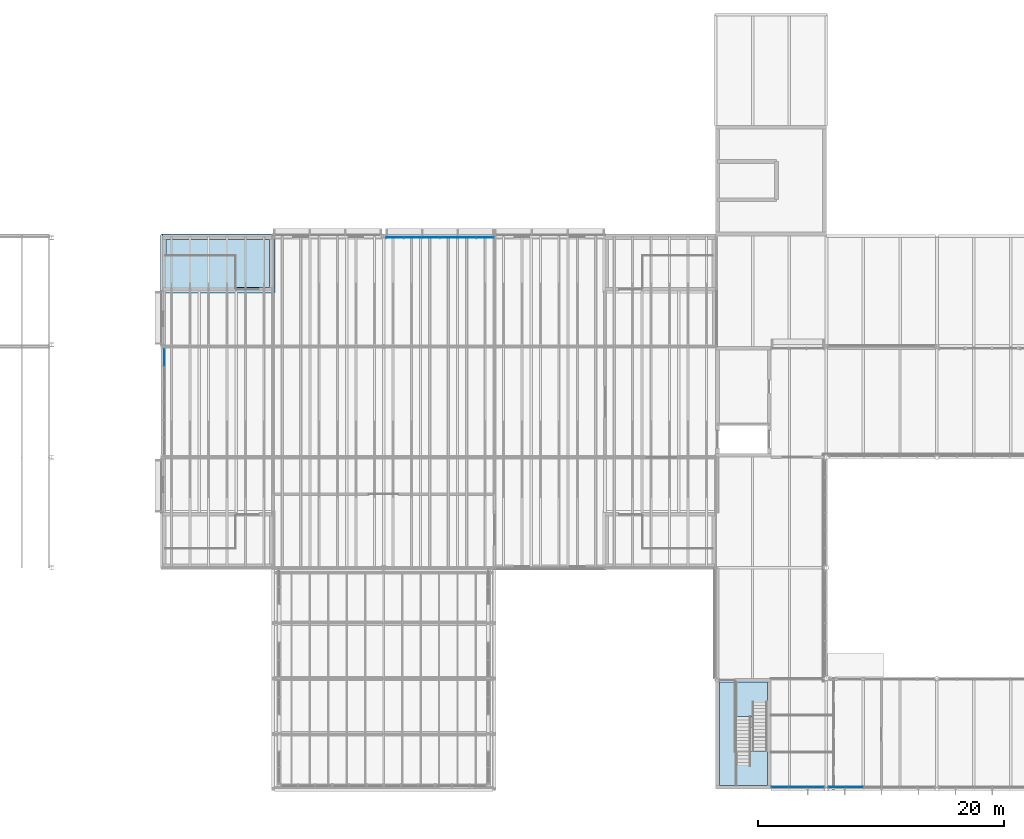
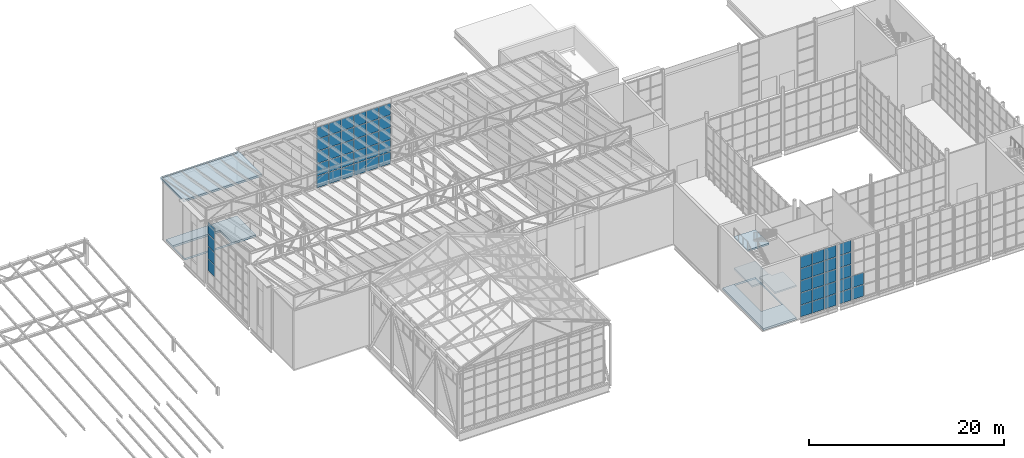
# One storey, part 68 of 90: 56 plates, 6 slabs, 5 elements without a shape of their own.
"""IFC4 building model written with IfcOpenShell, lengths in metres."""

import ifcopenshell
import ifcopenshell.guid

model = None  # the IFC model being written
_history = None  # IfcOwnerHistory: only IFC2X3 demands one
_inside = {}  # id of a spatial element -> (the spatial element, [elements in it])
_under = {}  # id of a project, library or spatial element -> (it, [spatial elements below it])
_declared = {}  # id of a project -> (the project, [libraries it declares])
_typed = {}  # id of a type object -> (the type object, [elements of that type])
_made_of = {}  # id of a material, layer set ... -> (it, [elements and type objects made of it])


def new_model(schema):
    """Start an empty IFC model of exactly this schema.

    Asked for "IFC4X3", IfcOpenShell would pick the latest addendum, in which some entities
    have other attributes; the version numbers below select the first issue.
    IFC2X3 requires an IfcOwnerHistory on every rooted entity: one is made here for all.
    """
    global model, _history
    if schema == "IFC4X3":
        model = ifcopenshell.file(schema_version=(4, 3, 0, 0))
    else:
        model = ifcopenshell.file(schema=schema)
    _inside.clear()
    _under.clear()
    _declared.clear()
    _typed.clear()
    _made_of.clear()
    _history = None
    if model.schema == "IFC2X3":
        org = make("IfcOrganization", Name="unknown")
        user = make(
            "IfcPersonAndOrganization",
            ThePerson=make("IfcPerson", FamilyName="unknown"),
            TheOrganization=org,
        )
        app = make(
            "IfcApplication",
            ApplicationDeveloper=org,
            Version="unknown",
            ApplicationFullName="unknown",
            ApplicationIdentifier="unknown",
        )
        _history = make(
            "IfcOwnerHistory",
            OwningUser=user,
            OwningApplication=app,
            ChangeAction="ADDED",
            CreationDate=0,
        )
    return model


def make(cls, **values):
    """One entity of the class cls with the attributes given. An attribute that is None is left unset."""
    return model.create_entity(
        cls, **{name: value for name, value in values.items() if value is not None}
    )


def rooted(cls, **values):
    """An entity with a GlobalId (a new one), such as an element, a storey or a relation."""
    return make(cls, GlobalId=ifcopenshell.guid.new(), OwnerHistory=_history, **values)


def si_unit(unit_type, name, prefix=None):
    """IfcSIUnit, for example si_unit("LENGTHUNIT", "METRE", prefix="MILLI")."""
    return make("IfcSIUnit", UnitType=unit_type, Prefix=prefix, Name=name)


def assignment(units):
    """IfcUnitAssignment: the units of a project."""
    return None if units is None else make("IfcUnitAssignment", Units=units)


def point(xyz):
    """IfcCartesianPoint."""
    return None if xyz is None else make("IfcCartesianPoint", Coordinates=xyz)


def direction(xyz):
    """IfcDirection."""
    return None if xyz is None else make("IfcDirection", DirectionRatios=xyz)


def frame(location, z_axis=None, x_axis=None):
    """IfcAxis2Placement3D, a coordinate frame: its origin and axes. An axis left out is left unset."""
    return make(
        "IfcAxis2Placement3D",
        Location=point(location),
        Axis=direction(z_axis),
        RefDirection=direction(x_axis),
    )


def frame_2d(location, x_axis=None):
    """IfcAxis2Placement2D, a coordinate frame in the plane: its origin and x axis."""
    return make(
        "IfcAxis2Placement2D", Location=point(location), RefDirection=direction(x_axis)
    )


def origin():
    """The frame at (0, 0, 0) with its axes left unset."""
    return frame((0.0, 0.0, 0.0))


def origin_2d():
    """The frame at (0, 0) in the plane with its x axis left unset."""
    return frame_2d((0.0, 0.0))


def place(relative_to, where):
    """IfcLocalPlacement: puts the frame where relative to a parent placement (None: the world)."""
    return make(
        "IfcLocalPlacement", PlacementRelTo=relative_to, RelativePlacement=where
    )


def context(
    kind, dimensions, precision=None, world=None, true_north=None, identifier=None
):
    """IfcGeometricRepresentationContext, for example the 3D "Model" context."""
    return make(
        "IfcGeometricRepresentationContext",
        ContextIdentifier=identifier,
        ContextType=kind,
        CoordinateSpaceDimension=dimensions,
        Precision=precision,
        WorldCoordinateSystem=world,
        TrueNorth=true_north,
    )


def subcontext(parent, identifier, kind, view, scale=None):
    """IfcGeometricRepresentationSubContext, for example "Body" below "Model"."""
    return make(
        "IfcGeometricRepresentationSubContext",
        ContextIdentifier=identifier,
        ContextType=kind,
        ParentContext=parent,
        TargetScale=scale,
        TargetView=view,
    )


def project(units=None, contexts=None):
    """IfcProject with its units and contexts."""
    return rooted(
        "IfcProject",
        Name="project",
        RepresentationContexts=contexts,
        UnitsInContext=assignment(units),
    )


def spatial(cls, under=None, at=None, **own):
    """A site, building, storey or space (cls), placed at a placement, below another one or the project."""
    s = rooted(cls, ObjectPlacement=at, **own)
    if under is not None:
        _under.setdefault(under.id(), (under, []))[1].append(s)
    return s


def polyline(points):
    """IfcPolyline through the points."""
    return make("IfcPolyline", Points=[point(p) for p in points])


def profile(cls, at=None, kind="AREA", **sizes):
    """A parametric profile (cls). Its sizes go by their IFC names, for example OverallWidth=200.0."""
    return make(cls, ProfileType=kind, Position=at, **sizes)


def rectangle(**sizes):
    """IfcRectangleProfileDef."""
    return profile("IfcRectangleProfileDef", **sizes)


def outline(outer, holes=None, kind="AREA"):
    """IfcArbitraryClosedProfileDef: a profile drawn as a closed curve; with holes, ...WithVoids."""
    if holes is None:
        return make("IfcArbitraryClosedProfileDef", ProfileType=kind, OuterCurve=outer)
    return make(
        "IfcArbitraryProfileDefWithVoids",
        ProfileType=kind,
        OuterCurve=outer,
        InnerCurves=holes,
    )


def extrude(swept, where, along, depth):
    """IfcExtrudedAreaSolid: the profile swept, set in the frame where, extruded along a direction by depth."""
    return make(
        "IfcExtrudedAreaSolid",
        SweptArea=swept,
        Position=where,
        ExtrudedDirection=direction(along),
        Depth=depth,
    )


def shape(context_of_items, identifier, shape_type, items):
    """IfcShapeRepresentation: the items that make up one representation, for example the "Body"."""
    return make(
        "IfcShapeRepresentation",
        ContextOfItems=context_of_items,
        RepresentationIdentifier=identifier,
        RepresentationType=shape_type,
        Items=items,
    )


def material(Name=None, Category=None):
    """IfcMaterial."""
    return make("IfcMaterial", Name=Name, Category=Category)


def layer(
    of_material, thickness, ventilated=None, Name=None, Category=None, Priority=None
):
    """IfcMaterialLayer: one layer of a wall or slab, of a material (None: an air gap)."""
    return make(
        "IfcMaterialLayer",
        Material=of_material,
        LayerThickness=thickness,
        IsVentilated=ventilated,
        Name=Name,
        Category=Category,
        Priority=Priority,
    )


def layer_set(layers, Name=None):
    """IfcMaterialLayerSet."""
    return make("IfcMaterialLayerSet", MaterialLayers=layers, LayerSetName=Name)


def made_of(thing, what):
    """Note that an element or type object is made of a material, layer set ...; save() writes the relation."""
    if what is not None:
        _made_of.setdefault(what.id(), (what, []))[1].append(thing)
    return thing


def type_object(cls, material=None, **own):
    """A type object (cls), such as IfcWallType, which elements share."""
    return made_of(rooted(cls, **own), material)


def element(
    cls,
    number,
    at=None,
    inside=None,
    cuts=None,
    type_object=None,
    material=None,
    context=None,
    identifier="Body",
    shape_type=None,
    held_by="IfcProductDefinitionShape",
    body=None,
    shapes=None,
    **own,
):
    """One element of the class cls, such as IfcWall. Its Tag is "e" and its number.

    at: its placement. inside: the storey or other place that contains it. cuts: it is an
    opening in that element (IfcRelVoidsElement). A single representation is given by context,
    identifier, shape_type and body (its items); several are given by shapes. held_by: the class
    of the entity that holds the representations. save() writes the other relations.
    """
    e = rooted(cls, Tag="e%d" % number, ObjectPlacement=at, **own)
    if body is not None:
        shapes = [shape(context, identifier, shape_type, body)]
    if shapes is not None:
        e.Representation = make(held_by, Representations=shapes)
    if inside is not None:
        _inside.setdefault(inside.id(), (inside, []))[1].append(e)
    if cuts is not None:
        rooted(
            "IfcRelVoidsElement", RelatingBuildingElement=cuts, RelatedOpeningElement=e
        )
    if type_object is not None:
        _typed.setdefault(type_object.id(), (type_object, []))[1].append(e)
    return made_of(e, material)


def aggregate(whole, parts):
    """IfcRelAggregates: a whole, such as a stair, and the parts it consists of."""
    return rooted("IfcRelAggregates", RelatingObject=whole, RelatedObjects=parts)


def save(model, path):
    """Write the relations noted so far, then the file.

    IfcRelAggregates (storeys below a building ...), IfcRelContainedInSpatialStructure (elements
    in a storey), IfcRelDefinesByType, IfcRelAssociatesMaterial and IfcRelDeclares: one each for
    every whole, place, type object, material and project.
    """
    for whole, parts in _under.values():
        aggregate(whole, parts)
    for where, things in _inside.values():
        rooted(
            "IfcRelContainedInSpatialStructure",
            RelatedElements=things,
            RelatingStructure=where,
        )
    for kind, things in _typed.values():
        rooted("IfcRelDefinesByType", RelatedObjects=things, RelatingType=kind)
    for what, things in _made_of.values():
        rooted("IfcRelAssociatesMaterial", RelatedObjects=things, RelatingMaterial=what)
    for by, libraries in _declared.values():
        rooted("IfcRelDeclares", RelatingContext=by, RelatedDefinitions=libraries)
    model.write(path)


model = new_model("IFC4")

# Units and contexts
model_context = context("Model", 3, precision=1e-05, world=origin(), true_north=direction((0.0, 1.0)))
body_context = subcontext(model_context, "Body", "Model", "MODEL_VIEW")
ifc_project = project(units=[si_unit("LENGTHUNIT", "METRE"), si_unit("AREAUNIT", "SQUARE_METRE"), si_unit("VOLUMEUNIT", "CUBIC_METRE"), si_unit("PLANEANGLEUNIT", "RADIAN"), si_unit("MASSUNIT", "GRAM", prefix="KILO")], contexts=[model_context])

# Site, building, storey
site_placement = place(None, origin())
site = spatial("IfcSite", under=ifc_project, at=site_placement, CompositionType="ELEMENT")
building_placement = place(site_placement, origin())
building = spatial("IfcBuilding", under=site, at=building_placement, Name="Halyard Row Museum", CompositionType="ELEMENT")
storey_placement = place(building_placement, frame((0.0, 0.0, 13.39990234375)))
storey = spatial("IfcBuildingStorey", under=building, at=storey_placement, Name="L03", CompositionType="ELEMENT", Elevation=13.39990234375)

# Slabs
ifc_material_1 = material(Name="Concrete 40 MPa", Category="concrete")
ifc_layer_1 = layer(ifc_material_1, 0.25)
ifc_layer_set_1 = layer_set([ifc_layer_1], Name="Concrete 40 MPa")
slab_type_1 = type_object("IfcSlabType", Name="Core floor slab 250", PredefinedType="FLOOR", material=ifc_layer_set_1)
slab_1_placement = place(storey_placement, frame((0.0, 0.0, -0.25)))
element("IfcSlab", 1, at=slab_1_placement, inside=storey, type_object=slab_type_1, Name="Core floor K1A L03", PredefinedType="FLOOR", context=body_context, shape_type="SweptSolid", body=[
    extrude(outline(polyline([(35.699951171875, 44.699951171875), (27.300048828125, 44.699951171875), (27.300048828125, 40.800048828125), (35.699951171875, 40.800048828125), (35.699951171875, 44.699951171875)]), holes=[polyline([(32.89697265625, 43.346923828125), (32.89697265625, 40.802978515625), (27.302978515625, 40.802978515625), (27.302978515625, 43.346923828125), (32.89697265625, 43.346923828125)])]), origin(), (0.0, 0.0, 1.0), 0.25),
])
slab_2_placement = place(storey_placement, frame((0.0, 0.0, -0.25)))
element("IfcSlab", 2, at=slab_2_placement, inside=storey, type_object=slab_type_1, Name="Core floor K2A L03", PredefinedType="FLOOR", context=body_context, shape_type="SweptSolid", body=[
    extrude(outline(polyline([(76.199951171875, 8.699951171875), (72.300048828125, 8.699951171875), (72.300048828125, 0.300048828125), (76.199951171875, 0.300048828125), (76.199951171875, 8.699951171875)]), holes=[polyline([(73.653076171875, 8.697021484375), (76.197021484375, 8.697021484375), (76.197021484375, 3.10302734375), (73.653076171875, 3.10302734375), (73.653076171875, 8.697021484375)])]), origin(), (0.0, 0.0, 1.0), 0.25),
])
ifc_material_2 = material(Name="Concrete 40 MPa", Category="concrete")
ifc_layer_2 = layer(ifc_material_2, 0.25)
ifc_layer_set_2 = layer_set([ifc_layer_2], Name="Concrete 40 MPa")
slab_type_2 = type_object("IfcSlabType", Name="Core roof slab 250 reinforced concrete", PredefinedType="ROOF", material=ifc_layer_set_2)
slab_3_placement = place(storey_placement, frame((0.0, 0.0, 7.42822265625)))
element("IfcSlab", 3, at=slab_3_placement, inside=storey, type_object=slab_type_2, Name="Core roof K1A", PredefinedType="ROOF", context=body_context, shape_type="SweptSolid", body=[
    extrude(outline(polyline([(36.14990234375, 45.095458984375), (36.125, 45.095458984375), (36.125, 44.904541015625), (36.14990234375, 44.904541015625), (36.14990234375, 40.35009765625), (26.85009765625, 40.35009765625), (26.85009765625, 45.0), (26.850830078125, 45.0146484375), (26.852783203125, 45.029296875), (26.8564453125, 45.04345703125), (26.861328125, 45.057373046875), (26.86767578125, 45.07080078125), (26.875244140625, 45.083251953125), (26.884033203125, 45.09521484375), (26.89404296875, 45.10595703125), (26.90478515625, 45.115966796875), (26.916748046875, 45.124755859375), (26.92919921875, 45.13232421875), (26.942626953125, 45.138671875), (26.95654296875, 45.1435546875), (26.970703125, 45.147216796875), (26.9853515625, 45.149169921875), (27.0, 45.14990234375), (36.14990234375, 45.14990234375), (36.14990234375, 45.095458984375)]), holes=[polyline([(35.875, 44.904541015625), (35.875, 45.095458984375), (27.0, 45.095458984375), (27.0, 44.904541015625), (35.875, 44.904541015625)])]), origin(), (0.0, 0.0, 1.0), 0.25),
])

# Curtain wall, plates
ifc_material_3 = material(Name="Double glazed unit, low-emissivity", Category="glass")
ifc_layer_3 = layer(ifc_material_3, 0.179931640625)
ifc_layer_set_3 = layer_set([ifc_layer_3], Name="Double glazed unit, low-emissivity")
curtain_wall_type_1 = type_object("IfcCurtainWallType", Name="Curtain wall stick 180 deep", PredefinedType="NOTDEFINED", material=ifc_layer_set_3)
curtain_wall_1_placement = place(storey_placement, origin())
curtain_wall_1 = element("IfcCurtainWall", 4, at=curtain_wall_1_placement, inside=storey, type_object=curtain_wall_type_1, Name="Curtain wall CW053", PredefinedType="NOTDEFINED")
ifc_material_4 = material(Name="Double glazed unit, low-emissivity", Category="glass")
ifc_layer_4 = layer(ifc_material_4, 0.028076171875)
ifc_layer_set_4 = layer_set([ifc_layer_4], Name="Double glazed unit, low-emissivity")
plate_type_1 = type_object("IfcPlateType", Name="Curtain wall glazed panel CP2 28", PredefinedType="CURTAIN_PANEL", material=ifc_layer_set_4)
plate_1_placement = place(storey_placement, frame((53.24755859375, 44.860107421875, 0.06005859375), z_axis=(0.0, 0.0, 1.0), x_axis=(-1.0, 0.0, 0.0)))
plate_1 = element("IfcPlate", 5, at=plate_1_placement, type_object=plate_type_1, Name="CW053 panel 1.1", PredefinedType="CURTAIN_PANEL", context=body_context, shape_type="SweptSolid", body=[
    extrude(rectangle(XDim=1.385009765625, YDim=0.028076171875, at=origin_2d()), origin(), (0.0, 0.0, 1.0), 1.445556640625),
])
plate_2_placement = place(storey_placement, frame((53.24755859375, 44.860107421875, 1.565673828125), z_axis=(0.0, 0.0, 1.0), x_axis=(-1.0, 0.0, 0.0)))
plate_2 = element("IfcPlate", 6, at=plate_2_placement, type_object=plate_type_1, Name="CW053 panel 1.2", PredefinedType="CURTAIN_PANEL", context=body_context, shape_type="SweptSolid", body=[
    extrude(rectangle(XDim=1.385009765625, YDim=0.028076171875, at=origin_2d()), origin(), (0.0, 0.0, 1.0), 1.4755859375),
])
plate_3_placement = place(storey_placement, frame((53.24755859375, 44.860107421875, 3.101318359375), z_axis=(0.0, 0.0, 1.0), x_axis=(-1.0, 0.0, 0.0)))
plate_3 = element("IfcPlate", 7, at=plate_3_placement, type_object=plate_type_1, Name="CW053 panel 1.3", PredefinedType="CURTAIN_PANEL", context=body_context, shape_type="SweptSolid", body=[
    extrude(rectangle(XDim=1.385009765625, YDim=0.028076171875, at=origin_2d()), origin(), (0.0, 0.0, 1.0), 1.4755859375),
])
plate_4_placement = place(storey_placement, frame((53.24755859375, 44.860107421875, 4.636962890625), z_axis=(0.0, 0.0, 1.0), x_axis=(-1.0, 0.0, 0.0)))
plate_4 = element("IfcPlate", 8, at=plate_4_placement, type_object=plate_type_1, Name="CW053 panel 1.4", PredefinedType="CURTAIN_PANEL", context=body_context, shape_type="SweptSolid", body=[
    extrude(rectangle(XDim=1.385009765625, YDim=0.028076171875, at=origin_2d()), origin(), (0.0, 0.0, 1.0), 1.4755859375),
])
plate_5_placement = place(storey_placement, frame((53.24755859375, 44.860107421875, 6.1728515625), z_axis=(0.0, 0.0, 1.0), x_axis=(-1.0, 0.0, 0.0)))
plate_5 = element("IfcPlate", 9, at=plate_5_placement, type_object=plate_type_1, Name="CW053 panel 1.5", PredefinedType="CURTAIN_PANEL", context=body_context, shape_type="SweptSolid", body=[
    extrude(rectangle(XDim=1.385009765625, YDim=0.028076171875, at=origin_2d()), origin(), (0.0, 0.0, 1.0), 1.445556640625),
])
plate_6_placement = place(storey_placement, frame((51.78759765625, 44.860107421875, 0.06005859375), z_axis=(0.0, 0.0, 1.0), x_axis=(-1.0, 0.0, 0.0)))
plate_6 = element("IfcPlate", 10, at=plate_6_placement, type_object=plate_type_1, Name="CW053 panel 2.1", PredefinedType="CURTAIN_PANEL", context=body_context, shape_type="SweptSolid", body=[
    extrude(rectangle(XDim=1.4150390625, YDim=0.028076171875, at=origin_2d()), origin(), (0.0, 0.0, 1.0), 1.445556640625),
])
plate_7_placement = place(storey_placement, frame((51.78759765625, 44.860107421875, 1.565673828125), z_axis=(0.0, 0.0, 1.0), x_axis=(-1.0, 0.0, 0.0)))
plate_7 = element("IfcPlate", 11, at=plate_7_placement, type_object=plate_type_1, Name="CW053 panel 2.2", PredefinedType="CURTAIN_PANEL", context=body_context, shape_type="SweptSolid", body=[
    extrude(rectangle(XDim=1.4150390625, YDim=0.028076171875, at=origin_2d()), origin(), (0.0, 0.0, 1.0), 1.4755859375),
])
plate_8_placement = place(storey_placement, frame((51.78759765625, 44.860107421875, 3.101318359375), z_axis=(0.0, 0.0, 1.0), x_axis=(-1.0, 0.0, 0.0)))
plate_8 = element("IfcPlate", 12, at=plate_8_placement, type_object=plate_type_1, Name="CW053 panel 2.3", PredefinedType="CURTAIN_PANEL", context=body_context, shape_type="SweptSolid", body=[
    extrude(rectangle(XDim=1.4150390625, YDim=0.028076171875, at=origin_2d()), origin(), (0.0, 0.0, 1.0), 1.4755859375),
])
plate_9_placement = place(storey_placement, frame((51.78759765625, 44.860107421875, 4.636962890625), z_axis=(0.0, 0.0, 1.0), x_axis=(-1.0, 0.0, 0.0)))
plate_9 = element("IfcPlate", 13, at=plate_9_placement, type_object=plate_type_1, Name="CW053 panel 2.4", PredefinedType="CURTAIN_PANEL", context=body_context, shape_type="SweptSolid", body=[
    extrude(rectangle(XDim=1.4150390625, YDim=0.028076171875, at=origin_2d()), origin(), (0.0, 0.0, 1.0), 1.4755859375),
])
plate_10_placement = place(storey_placement, frame((51.78759765625, 44.860107421875, 6.1728515625), z_axis=(0.0, 0.0, 1.0), x_axis=(-1.0, 0.0, 0.0)))
plate_10 = element("IfcPlate", 14, at=plate_10_placement, type_object=plate_type_1, Name="CW053 panel 2.5", PredefinedType="CURTAIN_PANEL", context=body_context, shape_type="SweptSolid", body=[
    extrude(rectangle(XDim=1.4150390625, YDim=0.028076171875, at=origin_2d()), origin(), (0.0, 0.0, 1.0), 1.445556640625),
])
plate_11_placement = place(storey_placement, frame((50.3125, 44.860107421875, 0.06005859375), z_axis=(0.0, 0.0, 1.0), x_axis=(-1.0, 0.0, 0.0)))
plate_11 = element("IfcPlate", 15, at=plate_11_placement, type_object=plate_type_1, Name="CW053 panel 3.1", PredefinedType="CURTAIN_PANEL", context=body_context, shape_type="SweptSolid", body=[
    extrude(rectangle(XDim=1.4150390625, YDim=0.028076171875, at=origin_2d()), origin(), (0.0, 0.0, 1.0), 1.445556640625),
])
plate_12_placement = place(storey_placement, frame((50.3125, 44.860107421875, 1.565673828125), z_axis=(0.0, 0.0, 1.0), x_axis=(-1.0, 0.0, 0.0)))
plate_12 = element("IfcPlate", 16, at=plate_12_placement, type_object=plate_type_1, Name="CW053 panel 3.2", PredefinedType="CURTAIN_PANEL", context=body_context, shape_type="SweptSolid", body=[
    extrude(rectangle(XDim=1.4150390625, YDim=0.028076171875, at=origin_2d()), origin(), (0.0, 0.0, 1.0), 1.4755859375),
])
plate_13_placement = place(storey_placement, frame((50.3125, 44.860107421875, 3.101318359375), z_axis=(0.0, 0.0, 1.0), x_axis=(-1.0, 0.0, 0.0)))
plate_13 = element("IfcPlate", 17, at=plate_13_placement, type_object=plate_type_1, Name="CW053 panel 3.3", PredefinedType="CURTAIN_PANEL", context=body_context, shape_type="SweptSolid", body=[
    extrude(rectangle(XDim=1.4150390625, YDim=0.028076171875, at=origin_2d()), origin(), (0.0, 0.0, 1.0), 1.4755859375),
])
plate_14_placement = place(storey_placement, frame((50.3125, 44.860107421875, 4.636962890625), z_axis=(0.0, 0.0, 1.0), x_axis=(-1.0, 0.0, 0.0)))
plate_14 = element("IfcPlate", 18, at=plate_14_placement, type_object=plate_type_1, Name="CW053 panel 3.4", PredefinedType="CURTAIN_PANEL", context=body_context, shape_type="SweptSolid", body=[
    extrude(rectangle(XDim=1.4150390625, YDim=0.028076171875, at=origin_2d()), origin(), (0.0, 0.0, 1.0), 1.4755859375),
])
plate_15_placement = place(storey_placement, frame((50.3125, 44.860107421875, 6.1728515625), z_axis=(0.0, 0.0, 1.0), x_axis=(-1.0, 0.0, 0.0)))
plate_15 = element("IfcPlate", 19, at=plate_15_placement, type_object=plate_type_1, Name="CW053 panel 3.5", PredefinedType="CURTAIN_PANEL", context=body_context, shape_type="SweptSolid", body=[
    extrude(rectangle(XDim=1.4150390625, YDim=0.028076171875, at=origin_2d()), origin(), (0.0, 0.0, 1.0), 1.445556640625),
])
plate_16_placement = place(storey_placement, frame((48.83740234375, 44.860107421875, 0.06005859375), z_axis=(0.0, 0.0, 1.0), x_axis=(-1.0, 0.0, 0.0)))
plate_16 = element("IfcPlate", 20, at=plate_16_placement, type_object=plate_type_1, Name="CW053 panel 4.1", PredefinedType="CURTAIN_PANEL", context=body_context, shape_type="SweptSolid", body=[
    extrude(rectangle(XDim=1.4150390625, YDim=0.028076171875, at=origin_2d()), origin(), (0.0, 0.0, 1.0), 1.445556640625),
])
plate_17_placement = place(storey_placement, frame((48.83740234375, 44.860107421875, 1.565673828125), z_axis=(0.0, 0.0, 1.0), x_axis=(-1.0, 0.0, 0.0)))
plate_17 = element("IfcPlate", 21, at=plate_17_placement, type_object=plate_type_1, Name="CW053 panel 4.2", PredefinedType="CURTAIN_PANEL", context=body_context, shape_type="SweptSolid", body=[
    extrude(rectangle(XDim=1.4150390625, YDim=0.028076171875, at=origin_2d()), origin(), (0.0, 0.0, 1.0), 1.4755859375),
])
plate_18_placement = place(storey_placement, frame((48.83740234375, 44.860107421875, 3.101318359375), z_axis=(0.0, 0.0, 1.0), x_axis=(-1.0, 0.0, 0.0)))
plate_18 = element("IfcPlate", 22, at=plate_18_placement, type_object=plate_type_1, Name="CW053 panel 4.3", PredefinedType="CURTAIN_PANEL", context=body_context, shape_type="SweptSolid", body=[
    extrude(rectangle(XDim=1.4150390625, YDim=0.028076171875, at=origin_2d()), origin(), (0.0, 0.0, 1.0), 1.4755859375),
])
plate_19_placement = place(storey_placement, frame((48.83740234375, 44.860107421875, 4.636962890625), z_axis=(0.0, 0.0, 1.0), x_axis=(-1.0, 0.0, 0.0)))
plate_19 = element("IfcPlate", 23, at=plate_19_placement, type_object=plate_type_1, Name="CW053 panel 4.4", PredefinedType="CURTAIN_PANEL", context=body_context, shape_type="SweptSolid", body=[
    extrude(rectangle(XDim=1.4150390625, YDim=0.028076171875, at=origin_2d()), origin(), (0.0, 0.0, 1.0), 1.4755859375),
])
plate_20_placement = place(storey_placement, frame((48.83740234375, 44.860107421875, 6.1728515625), z_axis=(0.0, 0.0, 1.0), x_axis=(-1.0, 0.0, 0.0)))
plate_20 = element("IfcPlate", 24, at=plate_20_placement, type_object=plate_type_1, Name="CW053 panel 4.5", PredefinedType="CURTAIN_PANEL", context=body_context, shape_type="SweptSolid", body=[
    extrude(rectangle(XDim=1.4150390625, YDim=0.028076171875, at=origin_2d()), origin(), (0.0, 0.0, 1.0), 1.445556640625),
])
plate_21_placement = place(storey_placement, frame((47.362548828125, 44.860107421875, 0.06005859375), z_axis=(0.0, 0.0, 1.0), x_axis=(-1.0, 0.0, 0.0)))
plate_21 = element("IfcPlate", 25, at=plate_21_placement, type_object=plate_type_1, Name="CW053 panel 5.1", PredefinedType="CURTAIN_PANEL", context=body_context, shape_type="SweptSolid", body=[
    extrude(rectangle(XDim=1.4150390625, YDim=0.028076171875, at=origin_2d()), origin(), (0.0, 0.0, 1.0), 1.445556640625),
])
plate_22_placement = place(storey_placement, frame((47.362548828125, 44.860107421875, 1.565673828125), z_axis=(0.0, 0.0, 1.0), x_axis=(-1.0, 0.0, 0.0)))
plate_22 = element("IfcPlate", 26, at=plate_22_placement, type_object=plate_type_1, Name="CW053 panel 5.2", PredefinedType="CURTAIN_PANEL", context=body_context, shape_type="SweptSolid", body=[
    extrude(rectangle(XDim=1.4150390625, YDim=0.028076171875, at=origin_2d()), origin(), (0.0, 0.0, 1.0), 1.4755859375),
])
plate_23_placement = place(storey_placement, frame((47.362548828125, 44.860107421875, 3.101318359375), z_axis=(0.0, 0.0, 1.0), x_axis=(-1.0, 0.0, 0.0)))
plate_23 = element("IfcPlate", 27, at=plate_23_placement, type_object=plate_type_1, Name="CW053 panel 5.3", PredefinedType="CURTAIN_PANEL", context=body_context, shape_type="SweptSolid", body=[
    extrude(rectangle(XDim=1.4150390625, YDim=0.028076171875, at=origin_2d()), origin(), (0.0, 0.0, 1.0), 1.4755859375),
])
plate_24_placement = place(storey_placement, frame((47.362548828125, 44.860107421875, 4.636962890625), z_axis=(0.0, 0.0, 1.0), x_axis=(-1.0, 0.0, 0.0)))
plate_24 = element("IfcPlate", 28, at=plate_24_placement, type_object=plate_type_1, Name="CW053 panel 5.4", PredefinedType="CURTAIN_PANEL", context=body_context, shape_type="SweptSolid", body=[
    extrude(rectangle(XDim=1.4150390625, YDim=0.028076171875, at=origin_2d()), origin(), (0.0, 0.0, 1.0), 1.4755859375),
])
plate_25_placement = place(storey_placement, frame((47.362548828125, 44.860107421875, 6.1728515625), z_axis=(0.0, 0.0, 1.0), x_axis=(-1.0, 0.0, 0.0)))
plate_25 = element("IfcPlate", 29, at=plate_25_placement, type_object=plate_type_1, Name="CW053 panel 5.5", PredefinedType="CURTAIN_PANEL", context=body_context, shape_type="SweptSolid", body=[
    extrude(rectangle(XDim=1.4150390625, YDim=0.028076171875, at=origin_2d()), origin(), (0.0, 0.0, 1.0), 1.445556640625),
])
plate_26_placement = place(storey_placement, frame((45.902587890625, 44.860107421875, 0.06005859375), z_axis=(0.0, 0.0, 1.0), x_axis=(-1.0, 0.0, 0.0)))
plate_26 = element("IfcPlate", 30, at=plate_26_placement, type_object=plate_type_1, Name="CW053 panel 6.1", PredefinedType="CURTAIN_PANEL", context=body_context, shape_type="SweptSolid", body=[
    extrude(rectangle(XDim=1.385009765625, YDim=0.028076171875, at=origin_2d()), origin(), (0.0, 0.0, 1.0), 1.445556640625),
])
plate_27_placement = place(storey_placement, frame((45.902587890625, 44.860107421875, 1.565673828125), z_axis=(0.0, 0.0, 1.0), x_axis=(-1.0, 0.0, 0.0)))
plate_27 = element("IfcPlate", 31, at=plate_27_placement, type_object=plate_type_1, Name="CW053 panel 6.2", PredefinedType="CURTAIN_PANEL", context=body_context, shape_type="SweptSolid", body=[
    extrude(rectangle(XDim=1.385009765625, YDim=0.028076171875, at=origin_2d()), origin(), (0.0, 0.0, 1.0), 1.4755859375),
])
plate_28_placement = place(storey_placement, frame((45.902587890625, 44.860107421875, 3.101318359375), z_axis=(0.0, 0.0, 1.0), x_axis=(-1.0, 0.0, 0.0)))
plate_28 = element("IfcPlate", 32, at=plate_28_placement, type_object=plate_type_1, Name="CW053 panel 6.3", PredefinedType="CURTAIN_PANEL", context=body_context, shape_type="SweptSolid", body=[
    extrude(rectangle(XDim=1.385009765625, YDim=0.028076171875, at=origin_2d()), origin(), (0.0, 0.0, 1.0), 1.4755859375),
])
plate_29_placement = place(storey_placement, frame((45.902587890625, 44.860107421875, 4.636962890625), z_axis=(0.0, 0.0, 1.0), x_axis=(-1.0, 0.0, 0.0)))
plate_29 = element("IfcPlate", 33, at=plate_29_placement, type_object=plate_type_1, Name="CW053 panel 6.4", PredefinedType="CURTAIN_PANEL", context=body_context, shape_type="SweptSolid", body=[
    extrude(rectangle(XDim=1.385009765625, YDim=0.028076171875, at=origin_2d()), origin(), (0.0, 0.0, 1.0), 1.4755859375),
])
plate_30_placement = place(storey_placement, frame((45.902587890625, 44.860107421875, 6.1728515625), z_axis=(0.0, 0.0, 1.0), x_axis=(-1.0, 0.0, 0.0)))
plate_30 = element("IfcPlate", 34, at=plate_30_placement, type_object=plate_type_1, Name="CW053 panel 6.5", PredefinedType="CURTAIN_PANEL", context=body_context, shape_type="SweptSolid", body=[
    extrude(rectangle(XDim=1.385009765625, YDim=0.028076171875, at=origin_2d()), origin(), (0.0, 0.0, 1.0), 1.445556640625),
])
aggregate(curtain_wall_1, [plate_1, plate_2, plate_3, plate_4, plate_5, plate_6, plate_7, plate_8, plate_9, plate_10, plate_11, plate_12, plate_13, plate_14, plate_15, plate_16, plate_17, plate_18, plate_19, plate_20, plate_21, plate_22, plate_23, plate_24, plate_25, plate_26, plate_27, plate_28, plate_29, plate_30])

ifc_material_5 = material(Name="Double glazed unit, low-emissivity", Category="glass")
ifc_layer_5 = layer(ifc_material_5, 0.219970703125)
ifc_layer_set_5 = layer_set([ifc_layer_5], Name="Double glazed unit, low-emissivity")
curtain_wall_type_2 = type_object("IfcCurtainWallType", Name="Curtain wall unitised 220 deep", PredefinedType="NOTDEFINED", material=ifc_layer_set_5)
curtain_wall_2_placement = place(storey_placement, origin())
curtain_wall_2 = element("IfcCurtainWall", 35, at=curtain_wall_2_placement, inside=storey, type_object=curtain_wall_type_2, Name="Curtain wall CW044", PredefinedType="NOTDEFINED")
ifc_material_6 = material(Name="Double glazed unit, low-emissivity", Category="glass")
ifc_layer_6 = layer(ifc_material_6, 0.035888671875)
ifc_layer_set_6 = layer_set([ifc_layer_6], Name="Double glazed unit, low-emissivity")
plate_type_2 = type_object("IfcPlateType", Name="Curtain wall glazed panel CP3 36", PredefinedType="CURTAIN_PANEL", material=ifc_layer_set_6)
plate_31_placement = place(storey_placement, frame((77.239990234375, 0.159912109375, 0.06005859375), z_axis=(0.0, 0.0, 1.0), x_axis=(1.0, 0.0, 0.0)))
plate_31 = element("IfcPlate", 36, at=plate_31_placement, type_object=plate_type_2, Name="CW044 panel 1.1", PredefinedType="CURTAIN_PANEL", context=body_context, shape_type="SweptSolid", body=[
    extrude(rectangle(XDim=1.360107421875, YDim=0.035888671875, at=origin_2d()), origin(), (0.0, 0.0, 1.0), 1.43701171875),
])
plate_32_placement = place(storey_placement, frame((77.239990234375, 0.159912109375, 1.55712890625), z_axis=(0.0, 0.0, 1.0), x_axis=(1.0, 0.0, 0.0)))
plate_32 = element("IfcPlate", 37, at=plate_32_placement, type_object=plate_type_2, Name="CW044 panel 1.2", PredefinedType="CURTAIN_PANEL", context=body_context, shape_type="SweptSolid", body=[
    extrude(rectangle(XDim=1.360107421875, YDim=0.035888671875, at=origin_2d()), origin(), (0.0, 0.0, 1.0), 1.467041015625),
])
plate_33_placement = place(storey_placement, frame((77.239990234375, 0.159912109375, 3.083984375), z_axis=(0.0, 0.0, 1.0), x_axis=(1.0, 0.0, 0.0)))
plate_33 = element("IfcPlate", 38, at=plate_33_placement, type_object=plate_type_2, Name="CW044 panel 1.3", PredefinedType="CURTAIN_PANEL", context=body_context, shape_type="SweptSolid", body=[
    extrude(rectangle(XDim=1.360107421875, YDim=0.035888671875, at=origin_2d()), origin(), (0.0, 0.0, 1.0), 1.467041015625),
])
plate_34_placement = place(storey_placement, frame((77.239990234375, 0.159912109375, 4.61083984375), z_axis=(0.0, 0.0, 1.0), x_axis=(1.0, 0.0, 0.0)))
plate_34 = element("IfcPlate", 39, at=plate_34_placement, type_object=plate_type_2, Name="CW044 panel 1.4", PredefinedType="CURTAIN_PANEL", context=body_context, shape_type="SweptSolid", body=[
    extrude(rectangle(XDim=1.360107421875, YDim=0.035888671875, at=origin_2d()), origin(), (0.0, 0.0, 1.0), 1.467041015625),
])
plate_35_placement = place(storey_placement, frame((77.239990234375, 0.159912109375, 6.13818359375), z_axis=(0.0, 0.0, 1.0), x_axis=(1.0, 0.0, 0.0)))
plate_35 = element("IfcPlate", 40, at=plate_35_placement, type_object=plate_type_2, Name="CW044 panel 1.5", PredefinedType="CURTAIN_PANEL", context=body_context, shape_type="SweptSolid", body=[
    extrude(rectangle(XDim=1.360107421875, YDim=0.035888671875, at=origin_2d()), origin(), (0.0, 0.0, 1.0), 1.43701171875),
])
plate_36_placement = place(storey_placement, frame((78.675048828125, 0.159912109375, 0.06005859375), z_axis=(0.0, 0.0, 1.0), x_axis=(1.0, 0.0, 0.0)))
plate_36 = element("IfcPlate", 41, at=plate_36_placement, type_object=plate_type_2, Name="CW044 panel 2.1", PredefinedType="CURTAIN_PANEL", context=body_context, shape_type="SweptSolid", body=[
    extrude(rectangle(XDim=1.389892578125, YDim=0.035888671875, at=origin_2d()), origin(), (0.0, 0.0, 1.0), 1.43701171875),
])
plate_37_placement = place(storey_placement, frame((78.675048828125, 0.159912109375, 1.55712890625), z_axis=(0.0, 0.0, 1.0), x_axis=(1.0, 0.0, 0.0)))
plate_37 = element("IfcPlate", 42, at=plate_37_placement, type_object=plate_type_2, Name="CW044 panel 2.2", PredefinedType="CURTAIN_PANEL", context=body_context, shape_type="SweptSolid", body=[
    extrude(rectangle(XDim=1.389892578125, YDim=0.035888671875, at=origin_2d()), origin(), (0.0, 0.0, 1.0), 1.467041015625),
])
plate_38_placement = place(storey_placement, frame((78.675048828125, 0.159912109375, 3.083984375), z_axis=(0.0, 0.0, 1.0), x_axis=(1.0, 0.0, 0.0)))
plate_38 = element("IfcPlate", 43, at=plate_38_placement, type_object=plate_type_2, Name="CW044 panel 2.3", PredefinedType="CURTAIN_PANEL", context=body_context, shape_type="SweptSolid", body=[
    extrude(rectangle(XDim=1.389892578125, YDim=0.035888671875, at=origin_2d()), origin(), (0.0, 0.0, 1.0), 1.467041015625),
])
plate_39_placement = place(storey_placement, frame((78.675048828125, 0.159912109375, 4.61083984375), z_axis=(0.0, 0.0, 1.0), x_axis=(1.0, 0.0, 0.0)))
plate_39 = element("IfcPlate", 44, at=plate_39_placement, type_object=plate_type_2, Name="CW044 panel 2.4", PredefinedType="CURTAIN_PANEL", context=body_context, shape_type="SweptSolid", body=[
    extrude(rectangle(XDim=1.389892578125, YDim=0.035888671875, at=origin_2d()), origin(), (0.0, 0.0, 1.0), 1.467041015625),
])
plate_40_placement = place(storey_placement, frame((78.675048828125, 0.159912109375, 6.13818359375), z_axis=(0.0, 0.0, 1.0), x_axis=(1.0, 0.0, 0.0)))
plate_40 = element("IfcPlate", 45, at=plate_40_placement, type_object=plate_type_2, Name="CW044 panel 2.5", PredefinedType="CURTAIN_PANEL", context=body_context, shape_type="SweptSolid", body=[
    extrude(rectangle(XDim=1.389892578125, YDim=0.035888671875, at=origin_2d()), origin(), (0.0, 0.0, 1.0), 1.43701171875),
])
plate_41_placement = place(storey_placement, frame((80.110107421875, 0.159912109375, 0.06005859375), z_axis=(0.0, 0.0, 1.0), x_axis=(1.0, 0.0, 0.0)))
plate_41 = element("IfcPlate", 46, at=plate_41_placement, type_object=plate_type_2, Name="CW044 panel 3.1", PredefinedType="CURTAIN_PANEL", context=body_context, shape_type="SweptSolid", body=[
    extrude(rectangle(XDim=1.360107421875, YDim=0.035888671875, at=origin_2d()), origin(), (0.0, 0.0, 1.0), 1.43701171875),
])
plate_42_placement = place(storey_placement, frame((80.110107421875, 0.159912109375, 1.55712890625), z_axis=(0.0, 0.0, 1.0), x_axis=(1.0, 0.0, 0.0)))
plate_42 = element("IfcPlate", 47, at=plate_42_placement, type_object=plate_type_2, Name="CW044 panel 3.2", PredefinedType="CURTAIN_PANEL", context=body_context, shape_type="SweptSolid", body=[
    extrude(rectangle(XDim=1.360107421875, YDim=0.035888671875, at=origin_2d()), origin(), (0.0, 0.0, 1.0), 1.467041015625),
])
plate_43_placement = place(storey_placement, frame((80.110107421875, 0.159912109375, 3.083984375), z_axis=(0.0, 0.0, 1.0), x_axis=(1.0, 0.0, 0.0)))
plate_43 = element("IfcPlate", 48, at=plate_43_placement, type_object=plate_type_2, Name="CW044 panel 3.3", PredefinedType="CURTAIN_PANEL", context=body_context, shape_type="SweptSolid", body=[
    extrude(rectangle(XDim=1.360107421875, YDim=0.035888671875, at=origin_2d()), origin(), (0.0, 0.0, 1.0), 1.467041015625),
])
plate_44_placement = place(storey_placement, frame((80.110107421875, 0.159912109375, 4.61083984375), z_axis=(0.0, 0.0, 1.0), x_axis=(1.0, 0.0, 0.0)))
plate_44 = element("IfcPlate", 49, at=plate_44_placement, type_object=plate_type_2, Name="CW044 panel 3.4", PredefinedType="CURTAIN_PANEL", context=body_context, shape_type="SweptSolid", body=[
    extrude(rectangle(XDim=1.360107421875, YDim=0.035888671875, at=origin_2d()), origin(), (0.0, 0.0, 1.0), 1.467041015625),
])
plate_45_placement = place(storey_placement, frame((80.110107421875, 0.159912109375, 6.13818359375), z_axis=(0.0, 0.0, 1.0), x_axis=(1.0, 0.0, 0.0)))
plate_45 = element("IfcPlate", 50, at=plate_45_placement, type_object=plate_type_2, Name="CW044 panel 3.5", PredefinedType="CURTAIN_PANEL", context=body_context, shape_type="SweptSolid", body=[
    extrude(rectangle(XDim=1.360107421875, YDim=0.035888671875, at=origin_2d()), origin(), (0.0, 0.0, 1.0), 1.43701171875),
])
aggregate(curtain_wall_2, [plate_31, plate_32, plate_33, plate_34, plate_35, plate_36, plate_37, plate_38, plate_39, plate_40, plate_41, plate_42, plate_43, plate_44, plate_45])

curtain_wall_3_placement = place(storey_placement, origin())
curtain_wall_3 = element("IfcCurtainWall", 51, at=curtain_wall_3_placement, inside=storey, type_object=curtain_wall_type_2, Name="Curtain wall CW045", PredefinedType="NOTDEFINED")
plate_46_placement = place(storey_placement, frame((81.889892578125, 0.159912109375, 0.06005859375), z_axis=(0.0, 0.0, 1.0), x_axis=(1.0, 0.0, 0.0)))
plate_46 = element("IfcPlate", 52, at=plate_46_placement, type_object=plate_type_2, Name="CW045 panel 1.1", PredefinedType="CURTAIN_PANEL", context=body_context, shape_type="SweptSolid", body=[
    extrude(rectangle(XDim=1.360107421875, YDim=0.035888671875, at=origin_2d()), origin(), (0.0, 0.0, 1.0), 1.43701171875),
])
plate_47_placement = place(storey_placement, frame((81.889892578125, 0.159912109375, 1.55712890625), z_axis=(0.0, 0.0, 1.0), x_axis=(1.0, 0.0, 0.0)))
plate_47 = element("IfcPlate", 53, at=plate_47_placement, type_object=plate_type_2, Name="CW045 panel 1.2", PredefinedType="CURTAIN_PANEL", context=body_context, shape_type="SweptSolid", body=[
    extrude(rectangle(XDim=1.360107421875, YDim=0.035888671875, at=origin_2d()), origin(), (0.0, 0.0, 1.0), 1.467041015625),
])
plate_48_placement = place(storey_placement, frame((81.889892578125, 0.159912109375, 3.083984375), z_axis=(0.0, 0.0, 1.0), x_axis=(1.0, 0.0, 0.0)))
plate_48 = element("IfcPlate", 54, at=plate_48_placement, type_object=plate_type_2, Name="CW045 panel 1.3", PredefinedType="CURTAIN_PANEL", context=body_context, shape_type="SweptSolid", body=[
    extrude(rectangle(XDim=1.360107421875, YDim=0.035888671875, at=origin_2d()), origin(), (0.0, 0.0, 1.0), 1.467041015625),
])
plate_49_placement = place(storey_placement, frame((81.889892578125, 0.159912109375, 4.61083984375), z_axis=(0.0, 0.0, 1.0), x_axis=(1.0, 0.0, 0.0)))
plate_49 = element("IfcPlate", 55, at=plate_49_placement, type_object=plate_type_2, Name="CW045 panel 1.4", PredefinedType="CURTAIN_PANEL", context=body_context, shape_type="SweptSolid", body=[
    extrude(rectangle(XDim=1.360107421875, YDim=0.035888671875, at=origin_2d()), origin(), (0.0, 0.0, 1.0), 1.467041015625),
])
plate_50_placement = place(storey_placement, frame((81.889892578125, 0.159912109375, 6.13818359375), z_axis=(0.0, 0.0, 1.0), x_axis=(1.0, 0.0, 0.0)))
plate_50 = element("IfcPlate", 56, at=plate_50_placement, type_object=plate_type_2, Name="CW045 panel 1.5", PredefinedType="CURTAIN_PANEL", context=body_context, shape_type="SweptSolid", body=[
    extrude(rectangle(XDim=1.360107421875, YDim=0.035888671875, at=origin_2d()), origin(), (0.0, 0.0, 1.0), 1.43701171875),
])
plate_51_placement = place(storey_placement, frame((83.324951171875, 0.159912109375, 0.06005859375), z_axis=(0.0, 0.0, 1.0), x_axis=(1.0, 0.0, 0.0)))
plate_51 = element("IfcPlate", 57, at=plate_51_placement, type_object=plate_type_2, Name="CW045 panel 2.1", PredefinedType="CURTAIN_PANEL", context=body_context, shape_type="SweptSolid", body=[
    extrude(rectangle(XDim=1.389892578125, YDim=0.035888671875, at=origin_2d()), origin(), (0.0, 0.0, 1.0), 1.43701171875),
])
plate_52_placement = place(storey_placement, frame((83.324951171875, 0.159912109375, 1.55712890625), z_axis=(0.0, 0.0, 1.0), x_axis=(1.0, 0.0, 0.0)))
plate_52 = element("IfcPlate", 58, at=plate_52_placement, type_object=plate_type_2, Name="CW045 panel 2.2", PredefinedType="CURTAIN_PANEL", context=body_context, shape_type="SweptSolid", body=[
    extrude(rectangle(XDim=1.389892578125, YDim=0.035888671875, at=origin_2d()), origin(), (0.0, 0.0, 1.0), 1.467041015625),
])
aggregate(curtain_wall_3, [plate_46, plate_47, plate_48, plate_49, plate_50, plate_51, plate_52])

ifc_material_7 = material(Name="Double glazed unit, low-emissivity", Category="glass")
ifc_layer_7 = layer(ifc_material_7, 0.199951171875)
ifc_layer_set_7 = layer_set([ifc_layer_7], Name="Double glazed unit, low-emissivity")
curtain_wall_type_3 = type_object("IfcCurtainWallType", Name="Curtain wall gable 200 deep", PredefinedType="NOTDEFINED", material=ifc_layer_set_7)
curtain_wall_4_placement = place(storey_placement, origin())
curtain_wall_4 = element("IfcCurtainWall", 59, at=curtain_wall_4_placement, inside=storey, type_object=curtain_wall_type_3, Name="Curtain wall CW054", PredefinedType="NOTDEFINED")
ifc_material_8 = material(Name="Double glazed unit, low-emissivity", Category="glass")
ifc_layer_8 = layer(ifc_material_8, 0.030029296875)
ifc_layer_set_8 = layer_set([ifc_layer_8], Name="Double glazed unit, low-emissivity")
plate_type_3 = type_object("IfcPlateType", Name="Curtain wall glazed panel CP7 30", PredefinedType="CURTAIN_PANEL", material=ifc_layer_set_8)
plate_53_placement = place(storey_placement, frame((27.14990234375, 35.111328125, 1.56298828125), z_axis=(0.0, 0.0, 1.0), x_axis=(0.0, -1.0, 0.0)))
plate_53 = element("IfcPlate", 60, at=plate_53_placement, type_object=plate_type_3, Name="CW054 panel 1.2", PredefinedType="CURTAIN_PANEL", context=body_context, shape_type="SweptSolid", body=[
    extrude(rectangle(XDim=1.367431640625, YDim=0.030029296875, at=origin_2d()), origin(), (0.0, 0.0, 1.0), 1.480712890625),
])
plate_54_placement = place(storey_placement, frame((27.14990234375, 35.111328125, 3.0986328125), z_axis=(0.0, 0.0, 1.0), x_axis=(0.0, -1.0, 0.0)))
plate_54 = element("IfcPlate", 61, at=plate_54_placement, type_object=plate_type_3, Name="CW054 panel 1.3", PredefinedType="CURTAIN_PANEL", context=body_context, shape_type="SweptSolid", body=[
    extrude(rectangle(XDim=1.367431640625, YDim=0.030029296875, at=origin_2d()), origin(), (0.0, 0.0, 1.0), 1.480712890625),
])
plate_55_placement = place(storey_placement, frame((27.14990234375, 35.111328125, 4.63427734375), z_axis=(0.0, 0.0, 1.0), x_axis=(0.0, -1.0, 0.0)))
plate_55 = element("IfcPlate", 62, at=plate_55_placement, type_object=plate_type_3, Name="CW054 panel 1.4", PredefinedType="CURTAIN_PANEL", context=body_context, shape_type="SweptSolid", body=[
    extrude(rectangle(XDim=1.367431640625, YDim=0.030029296875, at=origin_2d()), origin(), (0.0, 0.0, 1.0), 1.480712890625),
])
plate_56_placement = place(storey_placement, frame((27.14990234375, 35.111328125, 6.170166015625), z_axis=(0.0, 0.0, 1.0), x_axis=(0.0, -1.0, 0.0)))
plate_56 = element("IfcPlate", 63, at=plate_56_placement, type_object=plate_type_3, Name="CW054 panel 1.5", PredefinedType="CURTAIN_PANEL", context=body_context, shape_type="SweptSolid", body=[
    extrude(rectangle(XDim=1.367431640625, YDim=0.030029296875, at=origin_2d()), origin(), (0.0, 0.0, 1.0), 1.453125),
])
aggregate(curtain_wall_4, [plate_53, plate_54, plate_55, plate_56])

# Stair, slabs
ifc_material_9 = material(Name="Concrete 40 MPa", Category="concrete")
stair_type = type_object("IfcStairType", Name="Exit stair four flights 1200", PredefinedType="DOUBLE_RETURN_STAIR", material=ifc_material_9)
stair_placement = place(storey_placement, origin())
stair = element("IfcStair", 64, at=stair_placement, inside=storey, type_object=stair_type, Name="Exit stair K2A L03", PredefinedType="DOUBLE_RETURN_STAIR")
ifc_material_10 = material(Name="Concrete 40 MPa", Category="concrete")
ifc_layer_9 = layer(ifc_material_10, 0.199951171875)
ifc_layer_set_9 = layer_set([ifc_layer_9], Name="Concrete 40 MPa")
slab_type_3 = type_object("IfcSlabType", Name="Exit stair landing 200", PredefinedType="LANDING", material=ifc_layer_set_9)
slab_4_placement = place(storey_placement, frame((0.0, 0.0, 1.8349609375)))
slab_4 = element("IfcSlab", 65, at=slab_4_placement, type_object=slab_type_3, Name="STK2A-L03 landing 1", PredefinedType="LANDING", context=body_context, shape_type="SweptSolid", body=[
    extrude(outline(polyline([(73.64990234375, 4.97998046875), (76.199951171875, 4.97998046875), (76.199951171875, 8.699951171875), (73.64990234375, 8.699951171875), (73.64990234375, 4.97998046875)])), origin(), (0.0, 0.0, 1.0), 0.199951171875),
])
slab_5_placement = place(storey_placement, frame((0.0, 0.0, 3.86962890625)))
slab_5 = element("IfcSlab", 66, at=slab_5_placement, type_object=slab_type_3, Name="STK2A-L03 landing 2", PredefinedType="LANDING", context=body_context, shape_type="SweptSolid", body=[
    extrude(outline(polyline([(73.64990234375, 0.300048828125), (76.199951171875, 0.300048828125), (76.199951171875, 3.10302734375), (74.85009765625, 3.10302734375), (74.85009765625, 3.449951171875), (73.64990234375, 3.449951171875), (73.64990234375, 0.300048828125)])), origin(), (0.0, 0.0, 1.0), 0.199951171875),
])
slab_6_placement = place(storey_placement, frame((0.0, 0.0, 5.73486328125)))
slab_6 = element("IfcSlab", 67, at=slab_6_placement, type_object=slab_type_3, Name="STK2A-L03 landing 3", PredefinedType="LANDING", context=body_context, shape_type="SweptSolid", body=[
    extrude(outline(polyline([(73.64990234375, 5.89990234375), (76.199951171875, 5.89990234375), (76.199951171875, 8.699951171875), (73.64990234375, 8.699951171875), (73.64990234375, 5.89990234375)])), origin(), (0.0, 0.0, 1.0), 0.199951171875),
])
aggregate(stair, [slab_4, slab_5, slab_6])

save(model, "model.ifc")
